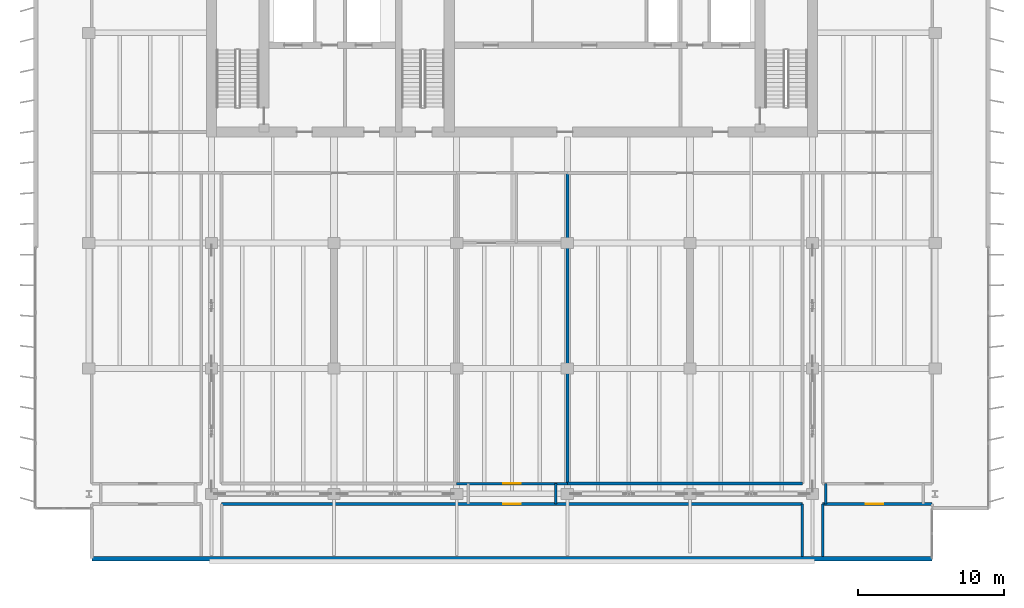
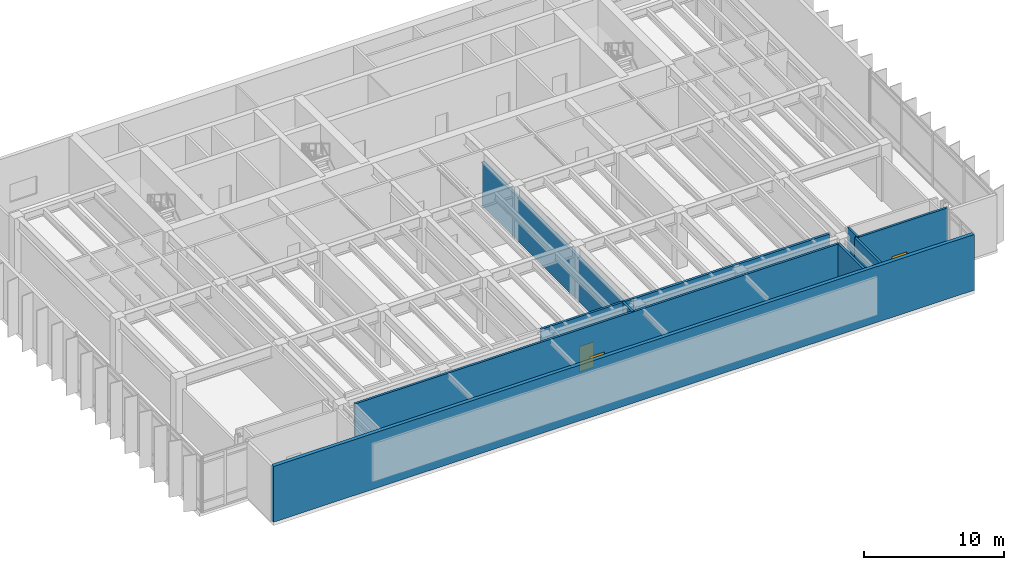
# One storey, part 15 of 23: 10 walls, 3 doors, 3 openings.
"""IFC4 building model written with IfcOpenShell, lengths in metres."""

from ifc_helpers import new_model, si_unit, direction, frame, frame_2d, origin, place, context, subcontext, project, spatial, rectangle, extrude, material, layer, layer_set, type_object, element, fill, save


model = new_model("IFC4")

# Units and contexts
model_context = context("Model", 3, precision=1e-05, world=origin(), true_north=direction((0.0, 1.0)))
body_context = subcontext(model_context, "Body", "Model", "MODEL_VIEW")
ifc_project = project(units=[si_unit("LENGTHUNIT", "METRE"), si_unit("AREAUNIT", "SQUARE_METRE"), si_unit("VOLUMEUNIT", "CUBIC_METRE"), si_unit("PLANEANGLEUNIT", "RADIAN"), si_unit("MASSUNIT", "GRAM", prefix="KILO")], contexts=[model_context])

# Site, building, storey
site_placement = place(None, origin())
site = spatial("IfcSite", under=ifc_project, at=site_placement, CompositionType="ELEMENT")
building_placement = place(site_placement, origin())
building = spatial("IfcBuilding", under=site, at=building_placement, Name="Caelmar Bay Residences", CompositionType="ELEMENT")
storey_placement = place(building_placement, frame((0.0, 0.0, 221.39990234375)))
storey = spatial("IfcBuildingStorey", under=building, at=storey_placement, Name="L62", CompositionType="ELEMENT", Elevation=221.39990234375)

# Walls
ifc_material_1 = material(Name="Double-stud acoustic fire-rated gypsum partition 180 mm")
ifc_layer_1 = layer(ifc_material_1, 0.179931640625)
ifc_layer_set_1 = layer_set([ifc_layer_1], Name="Double-stud acoustic fire-rated gypsum partition 180 mm")
wall_type_1 = type_object("IfcWallType", Name="W-COR-200", PredefinedType="PARTITIONING", material=ifc_layer_set_1)
wall_1_placement = place(storey_placement, frame((41.89990234375, 11.5, 0.0), z_axis=(0.0, 0.0, 1.0), x_axis=(0.0, 1.0, 0.0)))
element("IfcWall", 1, at=wall_1_placement, inside=storey, type_object=wall_type_1, Name="L62 Partition Wall V019", PredefinedType="PARTITIONING", context=body_context, shape_type="SweptSolid", body=[
    extrude(rectangle(XDim=1.39990234375, YDim=0.179931640625, at=frame_2d((0.699951171875, 0.0))), origin(), (0.0, 0.0, 1.0), 4.85009765625),
])
for number, where, z_axis, x_axis, name in (
    (2, (58.800048828125, 7.89501953125, 0.0), (0.0, 0.0, 1.0), (0.0, 1.0, 0.0), "L62 Partition Wall V028"),
    (3, (60.199951171875, 7.89501953125, 0.0), (0.0, 0.0, 1.0), (0.0, 1.0, 0.0), "L62 Partition Wall V030"),
):
    element("IfcWall", number, at=place(storey_placement, frame(where, z_axis=z_axis, x_axis=x_axis)), inside=storey, type_object=wall_type_1, Name=name, PredefinedType="PARTITIONING", context=body_context, shape_type="SweptSolid", body=[
        extrude(rectangle(XDim=3.60498046875, YDim=0.179931640625, at=frame_2d((1.802490234375, 0.0))), origin(), (0.0, 0.0, 1.0), 4.85009765625),
    ])
wall_2_placement = place(storey_placement, frame((60.39990234375, 11.5048828125, 0.0), z_axis=(0.0, 0.0, 1.0), x_axis=(0.0, 1.0, 0.0)))
element("IfcWall", 4, at=wall_2_placement, inside=storey, type_object=wall_type_1, Name="L62 Partition Wall V032", PredefinedType="PARTITIONING", context=body_context, shape_type="SweptSolid", body=[
    extrude(rectangle(XDim=1.39013671875, YDim=0.179931640625, at=frame_2d((0.695068359375, 0.0))), origin(), (0.0, 0.0, 1.0), 4.85009765625),
])

# Wall, opening, door
wall_3_placement = place(storey_placement, frame((19.0, 11.5, 0.0), z_axis=(0.0, 0.0, 1.0), x_axis=(1.0, 0.0, 0.0)))
wall_3 = element("IfcWall", 5, at=wall_3_placement, inside=storey, type_object=wall_type_1, Name="L62 Partition Wall H037", PredefinedType="PARTITIONING", context=body_context, shape_type="SweptSolid", body=[
    extrude(rectangle(XDim=39.800048828125, YDim=0.179931640625, at=frame_2d((19.89990234375, 0.0))), origin(), (0.0, 0.0, 1.0), 4.85009765625),
])
opening_1_placement = place(wall_3_placement, frame((19.300048828125, 0.0, 0.0)))
opening_1 = element("IfcOpeningElement", 6, at=opening_1_placement, cuts=wall_3, Name="Opening D-L62-132", PredefinedType="OPENING", context=body_context, shape_type="SweptSolid", body=[
    extrude(rectangle(XDim=1.199951171875, YDim=2.199951171875, at=frame_2d((0.60009765625, 1.10009765625))), frame((0.0, 0.099853515625, 0.0), z_axis=(0.0, -1.0, 0.0), x_axis=(1.0, 0.0, 0.0)), (0.0, 0.0, 1.0), 0.199951171875),
])
ifc_material_2 = material(Name="Fire-rated steel and walnut architectural door assembly", Category="steel")
ifc_layer_2 = layer(ifc_material_2, 0.050048828125)
ifc_layer_set_2 = layer_set([ifc_layer_2], Name="Fire-rated steel and walnut architectural door assembly")
door_type = type_object("IfcDoorType", Name="D-PLANT-1200", OperationType="NOTDEFINED", PredefinedType="DOOR", material=ifc_layer_set_2)
door_1_placement = place(opening_1_placement, origin())
door_1 = element("IfcDoor", 7, at=door_1_placement, inside=storey, type_object=door_type, Name="L62 Hydronic Heat Exchanger Plant Room L62 Door", OperationType="SINGLE_SWING_LEFT", OverallHeight=2.199951171875, OverallWidth=1.199951171875, PredefinedType="DOOR", context=body_context, shape_type="SweptSolid", body=[
    extrude(rectangle(XDim=1.199951171875, YDim=2.199951171875, at=frame_2d((0.60009765625, 1.10009765625))), frame((0.0, 0.02490234375, 0.0), z_axis=(0.0, -1.0, 0.0), x_axis=(1.0, 0.0, 0.0)), (0.0, 0.0, 1.0), 0.050048828125),
])
fill(opening_1, door_1)

wall_4_placement = place(storey_placement, frame((60.199951171875, 11.5, 0.0), z_axis=(0.0, 0.0, 1.0), x_axis=(1.0, 0.0, 0.0)))
wall_4 = element("IfcWall", 8, at=wall_4_placement, inside=storey, type_object=wall_type_1, Name="L62 Partition Wall H038", PredefinedType="PARTITIONING", context=body_context, shape_type="SweptSolid", body=[
    extrude(rectangle(XDim=7.5, YDim=0.179931640625, at=frame_2d((3.75, 0.0))), origin(), (0.0, 0.0, 1.0), 4.85009765625),
])
opening_2_placement = place(wall_4_placement, frame((2.949951171875, 0.0, 0.0)))
opening_2 = element("IfcOpeningElement", 9, at=opening_2_placement, cuts=wall_4, Name="Opening D-L62-136", PredefinedType="OPENING", context=body_context, shape_type="SweptSolid", body=[
    extrude(rectangle(XDim=1.199951171875, YDim=2.199951171875, at=frame_2d((0.60009765625, 1.10009765625))), frame((0.0, 0.099853515625, 0.0), z_axis=(0.0, -1.0, 0.0), x_axis=(1.0, 0.0, 0.0)), (0.0, 0.0, 1.0), 0.199951171875),
])
door_2_placement = place(opening_2_placement, origin())
door_2 = element("IfcDoor", 10, at=door_2_placement, inside=storey, type_object=door_type, Name="L62 East Intake Plenum Plant Room L62 Door", OperationType="SINGLE_SWING_LEFT", OverallHeight=2.199951171875, OverallWidth=1.199951171875, PredefinedType="DOOR", context=body_context, shape_type="SweptSolid", body=[
    extrude(rectangle(XDim=1.199951171875, YDim=2.199951171875, at=frame_2d((0.60009765625, 1.10009765625))), frame((0.0, 0.02490234375, 0.0), z_axis=(0.0, -1.0, 0.0), x_axis=(1.0, 0.0, 0.0)), (0.0, 0.0, 1.0), 0.050048828125),
])
fill(opening_2, door_2)

wall_5_placement = place(storey_placement, frame((35.10498046875, 12.89990234375, 0.0), z_axis=(0.0, 0.0, 1.0), x_axis=(1.0, 0.0, 0.0)))
wall_5 = element("IfcWall", 11, at=wall_5_placement, inside=storey, type_object=wall_type_1, Name="L62 Partition Wall H041", PredefinedType="PARTITIONING", context=body_context, shape_type="SweptSolid", body=[
    extrude(rectangle(XDim=7.594970703125, YDim=0.179931640625, at=frame_2d((3.79736328125, 0.0))), origin(), (0.0, 0.0, 1.0), 4.85009765625),
])
opening_3_placement = place(wall_5_placement, frame((3.195068359375, 0.0, 0.0)))
opening_3 = element("IfcOpeningElement", 12, at=opening_3_placement, cuts=wall_5, Name="Opening D-L62-131", PredefinedType="OPENING", context=body_context, shape_type="SweptSolid", body=[
    extrude(rectangle(XDim=1.199951171875, YDim=2.199951171875, at=frame_2d((0.60009765625, 1.10009765625))), frame((0.0, 0.099853515625, 0.0), z_axis=(0.0, -1.0, 0.0), x_axis=(1.0, 0.0, 0.0)), (0.0, 0.0, 1.0), 0.199951171875),
])
door_3_placement = place(opening_3_placement, origin())
door_3 = element("IfcDoor", 13, at=door_3_placement, inside=storey, type_object=door_type, Name="L62 Central Piping Plant Room L62 Door", OperationType="SINGLE_SWING_RIGHT", OverallHeight=2.199951171875, OverallWidth=1.199951171875, PredefinedType="DOOR", context=body_context, shape_type="SweptSolid", body=[
    extrude(rectangle(XDim=1.199951171875, YDim=2.199951171875, at=frame_2d((0.60009765625, 1.10009765625))), frame((0.0, 0.02490234375, 0.0), z_axis=(0.0, -1.0, 0.0), x_axis=(1.0, 0.0, 0.0)), (0.0, 0.0, 1.0), 0.050048828125),
])
fill(opening_3, door_3)

# Walls
ifc_material_3 = material(Name="Precast concrete f'c 40 MPa (6,000 psi)", Category="concrete")
ifc_layer_3 = layer(ifc_material_3, 0.300048828125)
ifc_layer_set_3 = layer_set([ifc_layer_3], Name="Precast concrete f'c 40 MPa (6,000 psi)")
wall_type_2 = type_object("IfcWallType", Name="W-EXT-300", PredefinedType="STANDARD", material=ifc_layer_set_3)
wall_6_placement = place(storey_placement, frame((67.699951171875, 7.75, 0.0), z_axis=(0.0, 0.0, 1.0), x_axis=(-1.0, 0.0, 0.0)))
element("IfcWall", 14, at=wall_6_placement, inside=storey, type_object=wall_type_2, Name="L62 South Bayfront Exterior Wall", PredefinedType="STANDARD", context=body_context, shape_type="SweptSolid", body=[
    extrude(rectangle(XDim=57.599853515625, YDim=0.300048828125, at=frame_2d((28.7998046875, 0.0))), origin(), (0.0, 0.0, 1.0), 4.85009765625),
])
ifc_material_4 = material(Name="Fire-rated masonry and gypsum shaftliner assembly 200 mm", Category="masonry")
ifc_layer_4 = layer(ifc_material_4, 0.199951171875)
ifc_layer_set_4 = layer_set([ifc_layer_4], Name="Fire-rated masonry and gypsum shaftliner assembly 200 mm")
wall_type_3 = type_object("IfcWallType", Name="W-FSAE-200", PredefinedType="PARTITIONING", material=ifc_layer_set_4)
wall_7_placement = place(storey_placement, frame((42.699951171875, 12.89990234375, 0.0), z_axis=(0.0, 0.0, 1.0), x_axis=(0.0, 1.0, 0.0)))
element("IfcWall", 15, at=wall_7_placement, inside=storey, type_object=wall_type_3, Name="L62 Partition Wall V020", PredefinedType="PARTITIONING", context=body_context, shape_type="SweptSolid", body=[
    extrude(rectangle(XDim=21.300048828125, YDim=0.199951171875, at=frame_2d((10.64990234375, 0.0))), origin(), (0.0, 0.0, 1.0), 3.814208984375),
])
wall_8_placement = place(storey_placement, frame((42.705078125, 12.89990234375, 0.0), z_axis=(0.0, 0.0, 1.0), x_axis=(1.0, 0.0, 0.0)))
element("IfcWall", 16, at=wall_8_placement, inside=storey, type_object=wall_type_3, Name="L62 Partition Wall H042", PredefinedType="PARTITIONING", context=body_context, shape_type="SweptSolid", body=[
    extrude(rectangle(XDim=16.094970703125, YDim=0.199951171875, at=frame_2d((8.04736328125, 0.0))), origin(), (0.0, 0.0, 1.0), 4.85009765625),
])

save(model, "model.ifc")
